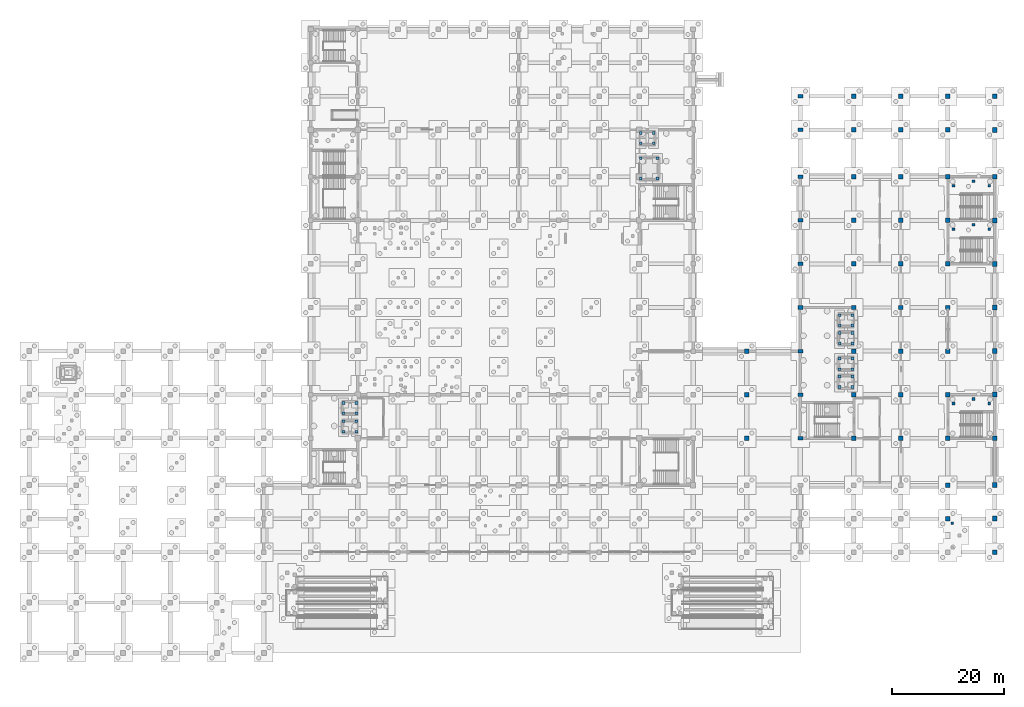
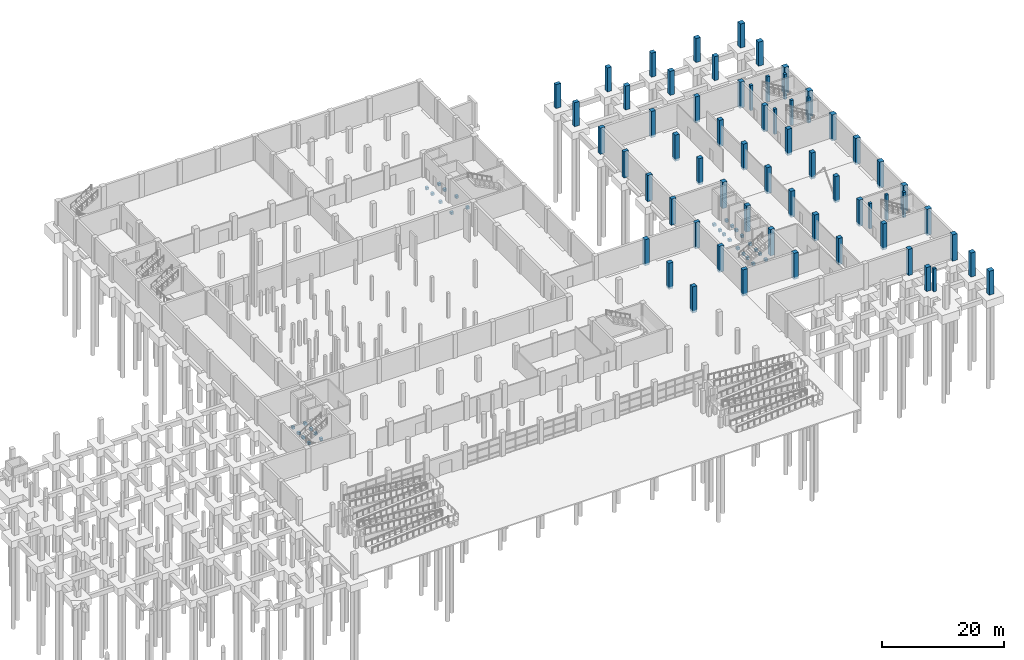
# One storey, part 18 of 42: 95 columns.
"""IFC4 building model written with IfcOpenShell, lengths in metres."""

from ifc_helpers import new_model, si_unit, direction, frame, origin, origin_2d, place, context, subcontext, project, spatial, rectangle, extrude, material, material_profile, profile_set, type_object, element, save


model = new_model("IFC4")

# Units and contexts
model_context = context("Model", 3, precision=1e-05, world=origin(), true_north=direction((0.0, 1.0)))
body_context = subcontext(model_context, "Body", "Model", "MODEL_VIEW")
ifc_project = project(units=[si_unit("LENGTHUNIT", "METRE"), si_unit("AREAUNIT", "SQUARE_METRE"), si_unit("VOLUMEUNIT", "CUBIC_METRE"), si_unit("PLANEANGLEUNIT", "RADIAN"), si_unit("MASSUNIT", "GRAM", prefix="KILO")], contexts=[model_context])

# Site, building, storey
site_placement = place(None, origin())
site = spatial("IfcSite", under=ifc_project, at=site_placement, CompositionType="ELEMENT")
building_placement = place(site_placement, origin())
building = spatial("IfcBuilding", under=site, at=building_placement, Name="Pellamere Symphony Hall", CompositionType="ELEMENT")
storey_placement = place(building_placement, frame((0.0, 0.0, -4.800048828125)))
storey = spatial("IfcBuildingStorey", under=building, at=storey_placement, Name="B1", CompositionType="ELEMENT", Elevation=-4.800048828125)

# Columns
ifc_material_1 = material(Name="Concrete 40 MPa", Category="concrete")
ifc_material_profile_1 = material_profile(ifc_material_1, rectangle(XDim=0.800048828125, YDim=0.800048828125, at=origin_2d()), Name="RC 800x800")
ifc_profile_set_1 = profile_set([ifc_material_profile_1], Name="Concrete 40 MPa")
column_type_1 = type_object("IfcColumnType", Name="RC Column CC-04 800x800", PredefinedType="COLUMN", material=ifc_profile_set_1)
for number, where, z_axis, x_axis, name in (
    (1, (128.39990234375, 38.39990234375, -0.449951171875), (0.0, 0.0, 1.0), (1.0, 0.0, 0.0), "Column C-17F (B1)"),
    (2, (128.39990234375, 46.199951171875, -0.449951171875), (0.0, 0.0, 1.0), (1.0, 0.0, 0.0), "Column C-17G (B1)"),
    (3, (128.39990234375, 54.0, -0.449951171875), (0.0, 0.0, 1.0), (1.0, 0.0, 0.0), "Column C-17H (B1)"),
    (4, (147.60009765625, 38.39990234375, -0.449951171875), (0.0, 0.0, 1.0), (1.0, 0.0, 0.0), "Column C-19F (B1)"),
    (5, (147.60009765625, 46.199951171875, -0.449951171875), (0.0, 0.0, 1.0), (1.0, 0.0, 0.0), "Column C-19G (B1)"),
    (6, (147.60009765625, 54.0, -0.449951171875), (0.0, 0.0, 1.0), (1.0, 0.0, 0.0), "Column C-19H (B1)"),
    (7, (147.60009765625, 61.800048828125, -0.449951171875), (0.0, 0.0, 1.0), (1.0, 0.0, 0.0), "Column C-19I (B1)"),
    (8, (147.60009765625, 69.60009765625, -0.449951171875), (0.0, 0.0, 1.0), (1.0, 0.0, 0.0), "Column C-19J (B1)"),
    (9, (147.60009765625, 77.39990234375, -0.449951171875), (0.0, 0.0, 1.0), (1.0, 0.0, 0.0), "Column C-19K (B1)"),
    (10, (147.60009765625, 85.199951171875, -0.449951171875), (0.0, 0.0, 1.0), (1.0, 0.0, 0.0), "Column C-19L (B1)"),
):
    element("IfcColumn", number, at=place(storey_placement, frame(where, z_axis=z_axis, x_axis=x_axis)), inside=storey, type_object=column_type_1, Name=name, PredefinedType="COLUMN", context=body_context, shape_type="SweptSolid", body=[
        extrude(rectangle(XDim=0.800048828125, YDim=0.800048828125, at=origin_2d()), origin(), (0.0, 0.0, 1.0), 5.25),
    ])
for number, where, z_axis, x_axis, name in (
    (11, (147.60009765625, 93.60009765625, 0.0), (0.0, 0.0, 1.0), (1.0, 0.0, 0.0), "Column C-19M (B1)"),
    (12, (147.60009765625, 99.60009765625, 0.0), (0.0, 0.0, 1.0), (1.0, 0.0, 0.0), "Column C-19N (B1)"),
):
    element("IfcColumn", number, at=place(storey_placement, frame(where, z_axis=z_axis, x_axis=x_axis)), inside=storey, type_object=column_type_1, Name=name, PredefinedType="COLUMN", context=body_context, shape_type="SweptSolid", body=[
        extrude(rectangle(XDim=0.800048828125, YDim=0.800048828125, at=origin_2d()), origin(), (0.0, 0.0, 1.0), 4.800048828125),
    ])
for number, where, z_axis, x_axis, name in (
    (13, (156.0, 38.39990234375, -0.449951171875), (0.0, 0.0, 1.0), (1.0, 0.0, 0.0), "Column C-20F (B1)"),
    (14, (156.0, 46.199951171875, -0.449951171875), (0.0, 0.0, 1.0), (1.0, 0.0, 0.0), "Column C-20G (B1)"),
    (15, (156.0, 54.0, -0.449951171875), (0.0, 0.0, 1.0), (1.0, 0.0, 0.0), "Column C-20H (B1)"),
    (16, (156.0, 61.800048828125, -0.449951171875), (0.0, 0.0, 1.0), (1.0, 0.0, 0.0), "Column C-20I (B1)"),
    (17, (156.0, 69.60009765625, -0.449951171875), (0.0, 0.0, 1.0), (1.0, 0.0, 0.0), "Column C-20J (B1)"),
    (18, (156.0, 77.39990234375, -0.449951171875), (0.0, 0.0, 1.0), (1.0, 0.0, 0.0), "Column C-20K (B1)"),
    (19, (156.0, 85.199951171875, -0.449951171875), (0.0, 0.0, 1.0), (1.0, 0.0, 0.0), "Column C-20L (B1)"),
):
    element("IfcColumn", number, at=place(storey_placement, frame(where, z_axis=z_axis, x_axis=x_axis)), inside=storey, type_object=column_type_1, Name=name, PredefinedType="COLUMN", context=body_context, shape_type="SweptSolid", body=[
        extrude(rectangle(XDim=0.800048828125, YDim=0.800048828125, at=origin_2d()), origin(), (0.0, 0.0, 1.0), 5.25),
    ])
for number, where, z_axis, x_axis, name in (
    (20, (156.0, 93.60009765625, 0.0), (0.0, 0.0, 1.0), (1.0, 0.0, 0.0), "Column C-20M (B1)"),
    (21, (156.0, 99.60009765625, 0.0), (0.0, 0.0, 1.0), (1.0, 0.0, 0.0), "Column C-20N (B1)"),
    (22, (164.39990234375, 24.0, 0.0), (0.0, 0.0, 1.0), (1.0, 0.0, 0.0), "Column C-21D (B1)"),
):
    element("IfcColumn", number, at=place(storey_placement, frame(where, z_axis=z_axis, x_axis=x_axis)), inside=storey, type_object=column_type_1, Name=name, PredefinedType="COLUMN", context=body_context, shape_type="SweptSolid", body=[
        extrude(rectangle(XDim=0.800048828125, YDim=0.800048828125, at=origin_2d()), origin(), (0.0, 0.0, 1.0), 4.800048828125),
    ])
for number, where, z_axis, x_axis, name in (
    (23, (164.39990234375, 30.0, -0.449951171875), (0.0, 0.0, 1.0), (1.0, 0.0, 0.0), "Column C-21E (B1)"),
    (24, (164.39990234375, 38.39990234375, -0.449951171875), (0.0, 0.0, 1.0), (1.0, 0.0, 0.0), "Column C-21F (B1)"),
    (25, (164.39990234375, 46.199951171875, -0.449951171875), (0.0, 0.0, 1.0), (1.0, 0.0, 0.0), "Column C-21G (B1)"),
    (26, (164.39990234375, 54.0, -0.449951171875), (0.0, 0.0, 1.0), (1.0, 0.0, 0.0), "Column C-21H (B1)"),
    (27, (164.39990234375, 61.800048828125, -0.449951171875), (0.0, 0.0, 1.0), (1.0, 0.0, 0.0), "Column C-21I (B1)"),
    (28, (164.39990234375, 69.60009765625, -0.449951171875), (0.0, 0.0, 1.0), (1.0, 0.0, 0.0), "Column C-21J (B1)"),
    (29, (164.39990234375, 77.39990234375, -0.449951171875), (0.0, 0.0, 1.0), (1.0, 0.0, 0.0), "Column C-21K (B1)"),
    (30, (164.39990234375, 85.199951171875, -0.449951171875), (0.0, 0.0, 1.0), (1.0, 0.0, 0.0), "Column C-21L (B1)"),
):
    element("IfcColumn", number, at=place(storey_placement, frame(where, z_axis=z_axis, x_axis=x_axis)), inside=storey, type_object=column_type_1, Name=name, PredefinedType="COLUMN", context=body_context, shape_type="SweptSolid", body=[
        extrude(rectangle(XDim=0.800048828125, YDim=0.800048828125, at=origin_2d()), origin(), (0.0, 0.0, 1.0), 5.25),
    ])
for number, where, z_axis, x_axis, name in (
    (31, (164.39990234375, 93.60009765625, 0.0), (0.0, 0.0, 1.0), (1.0, 0.0, 0.0), "Column C-21M (B1)"),
    (32, (164.39990234375, 99.60009765625, 0.0), (0.0, 0.0, 1.0), (1.0, 0.0, 0.0), "Column C-21N (B1)"),
):
    element("IfcColumn", number, at=place(storey_placement, frame(where, z_axis=z_axis, x_axis=x_axis)), inside=storey, type_object=column_type_1, Name=name, PredefinedType="COLUMN", context=body_context, shape_type="SweptSolid", body=[
        extrude(rectangle(XDim=0.800048828125, YDim=0.800048828125, at=origin_2d()), origin(), (0.0, 0.0, 1.0), 4.800048828125),
    ])
ifc_material_2 = material(Name="Concrete 35 MPa", Category="concrete")
ifc_material_profile_2 = material_profile(ifc_material_2, rectangle(XDim=0.5, YDim=0.5, at=origin_2d()), Name="RC 500x500")
ifc_profile_set_2 = profile_set([ifc_material_profile_2], Name="Concrete 35 MPa")
column_type_2 = type_object("IfcColumnType", Name="RC Column CC-10 500x500", PredefinedType="COLUMN", material=ifc_profile_set_2)
for number, where, z_axis, x_axis, name in (
    (33, (165.39990234375, 75.800048828125, -0.449951171875), (0.0, 0.0, 1.0), (1.0, 0.0, 0.0), "Stair ST05 Foundation Support Column 1"),
    (34, (169.0, 76.60009765625, -0.449951171875), (0.0, 0.0, 1.0), (1.0, 0.0, 0.0), "Stair ST05 Foundation Support Column 2"),
    (35, (171.800048828125, 75.800048828125, -0.449951171875), (0.0, 0.0, 1.0), (1.0, 0.0, 0.0), "Stair ST05 Foundation Support Column 3"),
    (36, (165.39990234375, 44.60009765625, -0.449951171875), (0.0, 0.0, 1.0), (1.0, 0.0, 0.0), "Stair ST06 Foundation Support Column 1"),
    (37, (169.0, 45.39990234375, -0.449951171875), (0.0, 0.0, 1.0), (1.0, 0.0, 0.0), "Stair ST06 Foundation Support Column 2"),
    (38, (171.800048828125, 44.60009765625, -0.449951171875), (0.0, 0.0, 1.0), (1.0, 0.0, 0.0), "Stair ST06 Foundation Support Column 3"),
):
    element("IfcColumn", number, at=place(storey_placement, frame(where, z_axis=z_axis, x_axis=x_axis)), inside=storey, type_object=column_type_2, Name=name, PredefinedType="COLUMN", context=body_context, shape_type="SweptSolid", body=[
        extrude(rectangle(XDim=0.5, YDim=0.5, at=origin_2d()), origin(), (0.0, 0.0, 1.0), 5.030029296875),
    ])
column_placement = place(storey_placement, frame((165.199951171875, 23.199951171875, 0.0), z_axis=(0.0, 0.0, 1.0), x_axis=(1.0, 0.0, 0.0)))
element("IfcColumn", 39, at=column_placement, inside=storey, type_object=column_type_2, Name="Stair ST12 Foundation Support Column 2", PredefinedType="COLUMN", context=body_context, shape_type="SweptSolid", body=[
    extrude(rectangle(XDim=0.5, YDim=0.5, at=origin_2d()), origin(), (0.0, 0.0, 1.0), 4.580078125),
])
for number, where, z_axis, x_axis, name in (
    (40, (165.39990234375, 83.60009765625, -0.449951171875), (0.0, 0.0, 1.0), (1.0, 0.0, 0.0), "Stair ST14 Foundation Support Column 1"),
    (41, (169.0, 84.39990234375, -0.449951171875), (0.0, 0.0, 1.0), (1.0, 0.0, 0.0), "Stair ST14 Foundation Support Column 2"),
    (42, (171.800048828125, 83.60009765625, -0.449951171875), (0.0, 0.0, 1.0), (1.0, 0.0, 0.0), "Stair ST14 Foundation Support Column 3"),
):
    element("IfcColumn", number, at=place(storey_placement, frame(where, z_axis=z_axis, x_axis=x_axis)), inside=storey, type_object=column_type_2, Name=name, PredefinedType="COLUMN", context=body_context, shape_type="SweptSolid", body=[
        extrude(rectangle(XDim=0.5, YDim=0.5, at=origin_2d()), origin(), (0.0, 0.0, 1.0), 5.030029296875),
    ])
for number, where, z_axis, x_axis, name in (
    (43, (56.25, 39.574951171875, -2.47998046875), (0.0, 0.0, 1.0), (1.0, 0.0, 0.0), "Elevator PL1 Pit Support Column 1"),
    (44, (58.550048828125, 39.574951171875, -2.47998046875), (0.0, 0.0, 1.0), (1.0, 0.0, 0.0), "Elevator PL1 Pit Support Column 2"),
    (45, (58.550048828125, 41.425048828125, -2.47998046875), (0.0, 0.0, 1.0), (1.0, 0.0, 0.0), "Elevator PL1 Pit Support Column 3"),
    (46, (56.25, 41.425048828125, -2.47998046875), (0.0, 0.0, 1.0), (1.0, 0.0, 0.0), "Elevator PL1 Pit Support Column 4"),
    (47, (56.25, 42.875, -2.47998046875), (0.0, 0.0, 1.0), (1.0, 0.0, 0.0), "Elevator PL2 Pit Support Column 1"),
    (48, (58.550048828125, 42.875, -2.47998046875), (0.0, 0.0, 1.0), (1.0, 0.0, 0.0), "Elevator PL2 Pit Support Column 2"),
    (49, (58.550048828125, 44.72509765625, -2.47998046875), (0.0, 0.0, 1.0), (1.0, 0.0, 0.0), "Elevator PL2 Pit Support Column 3"),
    (50, (56.25, 44.72509765625, -2.47998046875), (0.0, 0.0, 1.0), (1.0, 0.0, 0.0), "Elevator PL2 Pit Support Column 4"),
    (51, (145.0, 47.550048828125, -2.47998046875), (0.0, 0.0, 1.0), (1.0, 0.0, 0.0), "Elevator FFL1 Pit Support Column 1"),
    (52, (147.35009765625, 47.550048828125, -2.47998046875), (0.0, 0.0, 1.0), (1.0, 0.0, 0.0), "Elevator FFL1 Pit Support Column 2"),
    (53, (147.35009765625, 49.449951171875, -2.47998046875), (0.0, 0.0, 1.0), (1.0, 0.0, 0.0), "Elevator FFL1 Pit Support Column 3"),
    (54, (145.0, 49.449951171875, -2.47998046875), (0.0, 0.0, 1.0), (1.0, 0.0, 0.0), "Elevator FFL1 Pit Support Column 4"),
    (55, (145.0, 50.75, -2.47998046875), (0.0, 0.0, 1.0), (1.0, 0.0, 0.0), "Elevator FFL2 Pit Support Column 1"),
    (56, (147.35009765625, 50.75, -2.47998046875), (0.0, 0.0, 1.0), (1.0, 0.0, 0.0), "Elevator FFL2 Pit Support Column 2"),
    (57, (147.35009765625, 52.64990234375, -2.47998046875), (0.0, 0.0, 1.0), (1.0, 0.0, 0.0), "Elevator FFL2 Pit Support Column 3"),
    (58, (145.0, 52.64990234375, -2.47998046875), (0.0, 0.0, 1.0), (1.0, 0.0, 0.0), "Elevator FFL2 Pit Support Column 4"),
    (59, (145.050048828125, 55.375, -2.47998046875), (0.0, 0.0, 1.0), (1.0, 0.0, 0.0), "Elevator PL3 Pit Support Column 1"),
    (60, (147.35009765625, 55.375, -2.47998046875), (0.0, 0.0, 1.0), (1.0, 0.0, 0.0), "Elevator PL3 Pit Support Column 2"),
    (61, (147.35009765625, 57.22509765625, -2.47998046875), (0.0, 0.0, 1.0), (1.0, 0.0, 0.0), "Elevator PL3 Pit Support Column 3"),
    (62, (145.050048828125, 57.22509765625, -2.47998046875), (0.0, 0.0, 1.0), (1.0, 0.0, 0.0), "Elevator PL3 Pit Support Column 4"),
    (63, (145.050048828125, 58.574951171875, -2.47998046875), (0.0, 0.0, 1.0), (1.0, 0.0, 0.0), "Elevator PL4 Pit Support Column 1"),
    (64, (147.35009765625, 58.574951171875, -2.47998046875), (0.0, 0.0, 1.0), (1.0, 0.0, 0.0), "Elevator PL4 Pit Support Column 2"),
    (65, (147.35009765625, 60.425048828125, -2.47998046875), (0.0, 0.0, 1.0), (1.0, 0.0, 0.0), "Elevator PL4 Pit Support Column 3"),
    (66, (145.050048828125, 60.425048828125, -2.47998046875), (0.0, 0.0, 1.0), (1.0, 0.0, 0.0), "Elevator PL4 Pit Support Column 4"),
    (67, (109.449951171875, 84.89990234375, -2.47998046875), (0.0, 0.0, 1.0), (1.0, 0.0, 0.0), "Elevator GL1 Pit Support Column 1"),
    (68, (112.449951171875, 84.89990234375, -2.47998046875), (0.0, 0.0, 1.0), (1.0, 0.0, 0.0), "Elevator GL1 Pit Support Column 2"),
    (69, (112.449951171875, 88.5, -2.47998046875), (0.0, 0.0, 1.0), (1.0, 0.0, 0.0), "Elevator GL1 Pit Support Column 3"),
    (70, (109.449951171875, 88.5, -2.47998046875), (0.0, 0.0, 1.0), (1.0, 0.0, 0.0), "Elevator GL1 Pit Support Column 4"),
    (71, (109.449951171875, 91.175048828125, -2.47998046875), (0.0, 0.0, 1.0), (1.0, 0.0, 0.0), "Elevator PL6 Pit Support Column 1"),
    (72, (111.75, 91.175048828125, -2.47998046875), (0.0, 0.0, 1.0), (1.0, 0.0, 0.0), "Elevator PL6 Pit Support Column 2"),
    (73, (111.75, 93.02490234375, -2.47998046875), (0.0, 0.0, 1.0), (1.0, 0.0, 0.0), "Elevator PL6 Pit Support Column 3"),
    (74, (109.449951171875, 93.02490234375, -2.47998046875), (0.0, 0.0, 1.0), (1.0, 0.0, 0.0), "Elevator PL6 Pit Support Column 4"),
):
    element("IfcColumn", number, at=place(storey_placement, frame(where, z_axis=z_axis, x_axis=x_axis)), inside=storey, type_object=column_type_2, Name=name, PredefinedType="COLUMN", context=body_context, shape_type="SweptSolid", body=[
        extrude(rectangle(XDim=0.5, YDim=0.5, at=origin_2d()), origin(), (0.0, 0.0, 1.0), 0.5),
    ])
ifc_material_3 = material(Name="Concrete 50 MPa", Category="concrete")
ifc_material_profile_3 = material_profile(ifc_material_3, rectangle(XDim=0.89990234375, YDim=0.64990234375, at=origin_2d()), Name="RC 900x650")
ifc_profile_set_3 = profile_set([ifc_material_profile_3], Name="Concrete 50 MPa")
column_type_3 = type_object("IfcColumnType", Name="RC Column CC-11 900x650", PredefinedType="COLUMN", material=ifc_profile_set_3)
for number, where, z_axis, x_axis, name in (
    (75, (138.0, 38.39990234375, -0.449951171875), (0.0, 0.0, 1.0), (1.0, 0.0, 0.0), "Column C-18F (B1)"),
    (76, (138.0, 46.199951171875, -0.449951171875), (0.0, 0.0, 1.0), (1.0, 0.0, 0.0), "Column C-18G (B1)"),
    (77, (138.0, 54.0, -0.449951171875), (0.0, 0.0, 1.0), (1.0, 0.0, 0.0), "Column C-18H (B1)"),
    (78, (138.0, 61.800048828125, -0.449951171875), (0.0, 0.0, 1.0), (1.0, 0.0, 0.0), "Column C-18I (B1)"),
    (79, (138.0, 69.60009765625, -0.449951171875), (0.0, 0.0, 1.0), (1.0, 0.0, 0.0), "Column C-18J (B1)"),
    (80, (138.0, 77.39990234375, -0.449951171875), (0.0, 0.0, 1.0), (1.0, 0.0, 0.0), "Column C-18K (B1)"),
    (81, (138.0, 85.199951171875, -0.449951171875), (0.0, 0.0, 1.0), (1.0, 0.0, 0.0), "Column C-18L (B1)"),
):
    element("IfcColumn", number, at=place(storey_placement, frame(where, z_axis=z_axis, x_axis=x_axis)), inside=storey, type_object=column_type_3, Name=name, PredefinedType="COLUMN", context=body_context, shape_type="SweptSolid", body=[
        extrude(rectangle(XDim=0.89990234375, YDim=0.64990234375, at=origin_2d()), origin(), (0.0, 0.0, 1.0), 5.25),
    ])
for number, where, z_axis, x_axis, name in (
    (82, (138.0, 93.60009765625, 0.0), (0.0, 0.0, 1.0), (1.0, 0.0, 0.0), "Column C-18M (B1)"),
    (83, (138.0, 99.60009765625, 0.0), (0.0, 0.0, 1.0), (1.0, 0.0, 0.0), "Column C-18N (B1)"),
):
    element("IfcColumn", number, at=place(storey_placement, frame(where, z_axis=z_axis, x_axis=x_axis)), inside=storey, type_object=column_type_3, Name=name, PredefinedType="COLUMN", context=body_context, shape_type="SweptSolid", body=[
        extrude(rectangle(XDim=0.89990234375, YDim=0.64990234375, at=origin_2d()), origin(), (0.0, 0.0, 1.0), 4.800048828125),
    ])
ifc_material_profile_4 = material_profile(ifc_material_3, rectangle(XDim=0.8798828125, YDim=0.8798828125, at=origin_2d()), Name="RC 880x880")
ifc_profile_set_4 = profile_set([ifc_material_profile_4], Name="Concrete 50 MPa")
column_type_4 = type_object("IfcColumnType", Name="RC Column CCP-01 880x880", PredefinedType="COLUMN", material=ifc_profile_set_4)
for number, where, z_axis, x_axis, name in (
    (84, (172.800048828125, 18.0, 0.0), (0.0, 0.0, 1.0), (1.0, 0.0, 0.0), "Column C-22C (B1)"),
    (85, (172.800048828125, 24.0, 0.0), (0.0, 0.0, 1.0), (1.0, 0.0, 0.0), "Column C-22D (B1)"),
):
    element("IfcColumn", number, at=place(storey_placement, frame(where, z_axis=z_axis, x_axis=x_axis)), inside=storey, type_object=column_type_4, Name=name, PredefinedType="COLUMN", context=body_context, shape_type="SweptSolid", body=[
        extrude(rectangle(XDim=0.8798828125, YDim=0.8798828125, at=origin_2d()), origin(), (0.0, 0.0, 1.0), 4.800048828125),
    ])
for number, where, z_axis, x_axis, name in (
    (86, (172.800048828125, 30.0, -0.449951171875), (0.0, 0.0, 1.0), (1.0, 0.0, 0.0), "Column C-22E (B1)"),
    (87, (172.800048828125, 38.39990234375, -0.449951171875), (0.0, 0.0, 1.0), (1.0, 0.0, 0.0), "Column C-22F (B1)"),
    (88, (172.800048828125, 46.199951171875, -0.449951171875), (0.0, 0.0, 1.0), (1.0, 0.0, 0.0), "Column C-22G (B1)"),
    (89, (172.800048828125, 54.0, -0.449951171875), (0.0, 0.0, 1.0), (1.0, 0.0, 0.0), "Column C-22H (B1)"),
    (90, (172.800048828125, 61.800048828125, -0.449951171875), (0.0, 0.0, 1.0), (1.0, 0.0, 0.0), "Column C-22I (B1)"),
    (91, (172.800048828125, 69.60009765625, -0.449951171875), (0.0, 0.0, 1.0), (1.0, 0.0, 0.0), "Column C-22J (B1)"),
    (92, (172.800048828125, 77.39990234375, -0.449951171875), (0.0, 0.0, 1.0), (1.0, 0.0, 0.0), "Column C-22K (B1)"),
    (93, (172.800048828125, 85.199951171875, -0.449951171875), (0.0, 0.0, 1.0), (1.0, 0.0, 0.0), "Column C-22L (B1)"),
):
    element("IfcColumn", number, at=place(storey_placement, frame(where, z_axis=z_axis, x_axis=x_axis)), inside=storey, type_object=column_type_4, Name=name, PredefinedType="COLUMN", context=body_context, shape_type="SweptSolid", body=[
        extrude(rectangle(XDim=0.8798828125, YDim=0.8798828125, at=origin_2d()), origin(), (0.0, 0.0, 1.0), 5.25),
    ])
for number, where, z_axis, x_axis, name in (
    (94, (172.800048828125, 93.60009765625, 0.0), (0.0, 0.0, 1.0), (1.0, 0.0, 0.0), "Column C-22M (B1)"),
    (95, (172.800048828125, 99.60009765625, 0.0), (0.0, 0.0, 1.0), (1.0, 0.0, 0.0), "Column C-22N (B1)"),
):
    element("IfcColumn", number, at=place(storey_placement, frame(where, z_axis=z_axis, x_axis=x_axis)), inside=storey, type_object=column_type_4, Name=name, PredefinedType="COLUMN", context=body_context, shape_type="SweptSolid", body=[
        extrude(rectangle(XDim=0.8798828125, YDim=0.8798828125, at=origin_2d()), origin(), (0.0, 0.0, 1.0), 4.800048828125),
    ])

save(model, "model.ifc")
